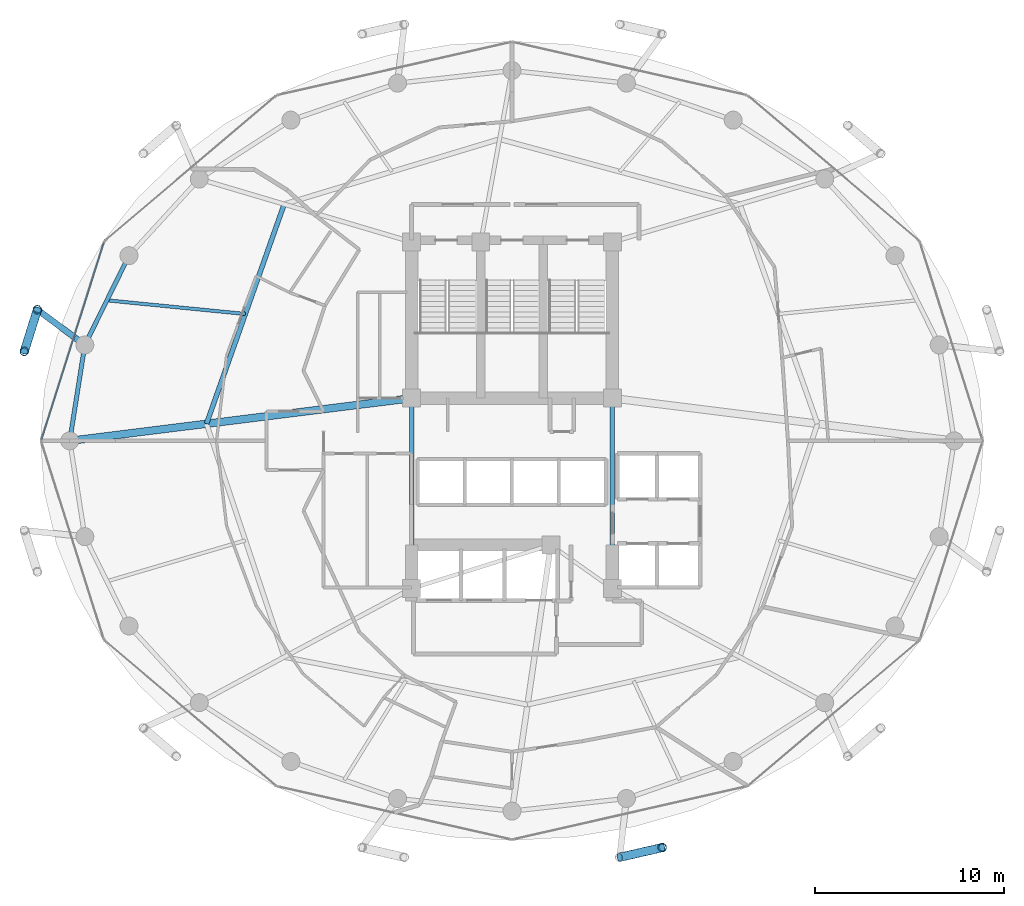
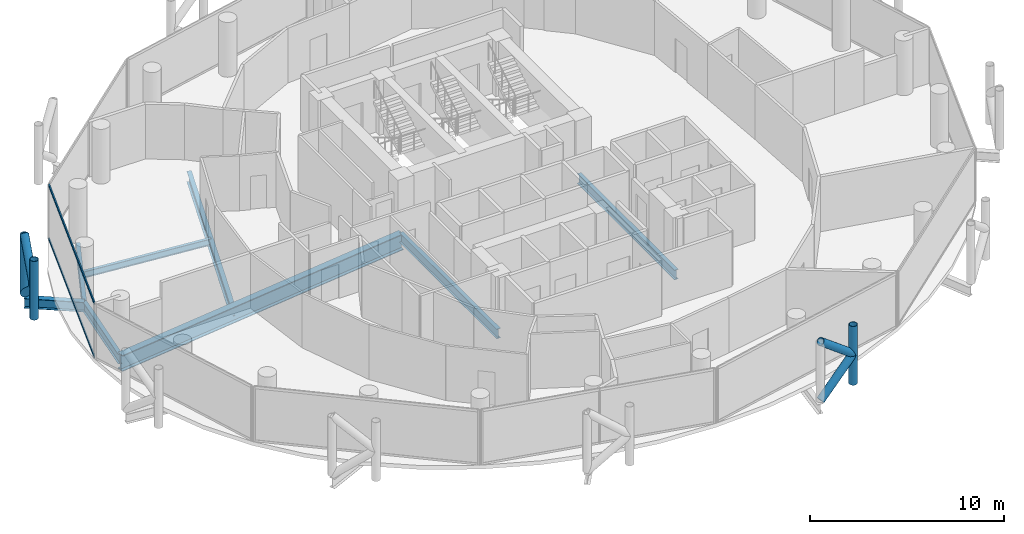
# One storey, part 7 of 26: 9 members, 8 beams, 1 element without a shape of its own.
"""IFC4 building model written with IfcOpenShell, lengths in metres."""

from ifc_helpers import new_model, si_unit, direction, frame, origin, origin_2d, place, context, subcontext, project, spatial, hollow_rectangle, hollow_circle, i_section, extrude, material, layer, layer_set, material_profile, profile_set, type_object, element, aggregate, save


model = new_model("IFC4")

# Units and contexts
model_context = context("Model", 3, precision=1e-05, world=origin(), true_north=direction((0.0, 1.0)))
body_context = subcontext(model_context, "Body", "Model", "MODEL_VIEW")
ifc_project = project(units=[si_unit("LENGTHUNIT", "METRE"), si_unit("AREAUNIT", "SQUARE_METRE"), si_unit("VOLUMEUNIT", "CUBIC_METRE"), si_unit("PLANEANGLEUNIT", "RADIAN"), si_unit("MASSUNIT", "GRAM", prefix="KILO")], contexts=[model_context])

# Site, building, storey
site_placement = place(None, origin())
site = spatial("IfcSite", under=ifc_project, at=site_placement, CompositionType="ELEMENT")
building_placement = place(site_placement, origin())
building = spatial("IfcBuilding", under=site, at=building_placement, Name="Nuhasar Tower", CompositionType="ELEMENT")
storey_placement = place(building_placement, frame((0.0, 0.0, 177.449951171875)))
storey = spatial("IfcBuildingStorey", under=building, at=storey_placement, Name="L43", CompositionType="ELEMENT", Elevation=177.449951171875)

# Beams
ifc_material_1 = material(Name="Steel S355", Category="steel")
ifc_material_profile_1 = material_profile(ifc_material_1, i_section(OverallWidth=0.25390625, OverallDepth=0.68408203125, WebThickness=0.012451171875, FlangeThickness=0.018798828125, at=origin_2d()), Name="W27X94")
ifc_profile_set_1 = profile_set([ifc_material_profile_1], Name="Steel S355")
beam_type_1 = type_object("IfcBeamType", Name="BM-INRING-W27X94", PredefinedType="BEAM", material=ifc_profile_set_1)
beam_1_placement = place(storey_placement, frame((26.972900390625, 39.2939453125, -0.592041015625), z_axis=(-0.333599821096, -0.942714781556, 0.0), x_axis=(0.942714781556, -0.333599821096, 0.0)))
element("IfcBeam", 1, at=beam_1_placement, inside=storey, type_object=beam_type_1, Name="L43 Inner Header Beam 07", PredefinedType="BEAM", context=body_context, shape_type="SweptSolid", body=[
    extrude(i_section(OverallWidth=0.25390625, OverallDepth=0.68408203125, WebThickness=0.012451171875, FlangeThickness=0.018798828125, at=origin_2d()), origin(), (0.0, 0.0, 1.0), 12.298583984375),
])
ifc_material_profile_2 = material_profile(ifc_material_1, i_section(OverallWidth=0.177978515625, OverallDepth=0.406005859375, WebThickness=0.0078125, FlangeThickness=0.0126953125, at=origin_2d()), Name="W16X40")
ifc_profile_set_2 = profile_set([ifc_material_profile_2], Name="Steel S355")
beam_type_2 = type_object("IfcBeamType", Name="BM-JST-W16X40", PredefinedType="JOIST", material=ifc_profile_set_2)
beam_2_placement = place(storey_placement, frame((24.922119140625, 33.4970703125, -0.452880859375), z_axis=(-0.995171845755, 0.098147834497, 0.0), x_axis=(-0.098147834497, -0.995171845755, 0.0)))
element("IfcBeam", 2, at=beam_2_placement, inside=storey, type_object=beam_type_2, Name="L43 Secondary Floor Joist 07", PredefinedType="JOIST", context=body_context, shape_type="SweptSolid", body=[
    extrude(i_section(OverallWidth=0.177978515625, OverallDepth=0.406005859375, WebThickness=0.0078125, FlangeThickness=0.0126953125, at=origin_2d()), origin(), (0.0, 0.0, 1.0), 7.345458984375),
])
ifc_material_profile_3 = material_profile(ifc_material_1, i_section(OverallWidth=0.22900390625, OverallDepth=0.612060546875, WebThickness=0.011962890625, FlangeThickness=0.01953125, at=origin_2d()), Name="W24X84")
ifc_profile_set_3 = profile_set([ifc_material_profile_3], Name="Steel S355")
beam_type_3 = type_object("IfcBeamType", Name="BM-RAD-W24X84", PredefinedType="BEAM", material=ifc_profile_set_3)
for number, where, z_axis, x_axis, name in (
    (3, (44.300048828125, 19.0, -0.555908203125), (0.0, 1.0, 0.0), (-1.0, 0.0, 0.0), "L43 Core Ring Girder 3"),
    (4, (33.699951171875, 29.050048828125, -0.555908203125), (0.0, -1.0, 0.0), (1.0, 0.0, 0.0), "L43 Core Ring Girder 8"),
):
    element("IfcBeam", number, at=place(storey_placement, frame(where, z_axis=z_axis, x_axis=x_axis)), inside=storey, type_object=beam_type_3, Name=name, PredefinedType="BEAM", context=body_context, shape_type="SweptSolid", body=[
        extrude(i_section(OverallWidth=0.22900390625, OverallDepth=0.612060546875, WebThickness=0.011962890625, FlangeThickness=0.01953125, at=origin_2d()), origin(), (0.0, 0.0, 1.0), 10.050048828125),
    ])
ifc_material_profile_4 = material_profile(ifc_material_1, i_section(OverallWidth=0.22998046875, OverallDepth=0.616943359375, WebThickness=0.01318359375, FlangeThickness=0.022216796875, at=origin_2d()), Name="W24X94")
ifc_profile_set_4 = profile_set([ifc_material_profile_4], Name="Steel S355")
beam_type_4 = type_object("IfcBeamType", Name="BM-RING-W24X94", PredefinedType="SPANDREL", material=ifc_profile_set_4)
beam_3_placement = place(storey_placement, frame((18.778076171875, 36.574951171875, -0.558837890625), z_axis=(-0.443347771709, -0.896349682501, 0.0), x_axis=(0.896349682501, -0.443347771709, 0.0)))
element("IfcBeam", 5, at=beam_3_placement, inside=storey, type_object=beam_type_4, Name="L43 Perimeter Ring Spandrel 11", PredefinedType="SPANDREL", context=body_context, shape_type="SweptSolid", body=[
    extrude(i_section(OverallWidth=0.22998046875, OverallDepth=0.616943359375, WebThickness=0.01318359375, FlangeThickness=0.022216796875, at=origin_2d()), origin(), (0.0, 0.0, 1.0), 5.260009765625),
])
beam_4_placement = place(storey_placement, frame((16.446044921875, 31.860107421875, -0.558837890625), z_axis=(-0.155426543608, -0.987847452566, 0.0), x_axis=(0.987847452566, -0.155426543608, 0.0)))
element("IfcBeam", 6, at=beam_4_placement, inside=storey, type_object=beam_type_4, Name="L43 Perimeter Ring Spandrel 12", PredefinedType="SPANDREL", context=body_context, shape_type="SweptSolid", body=[
    extrude(i_section(OverallWidth=0.22998046875, OverallDepth=0.616943359375, WebThickness=0.01318359375, FlangeThickness=0.022216796875, at=origin_2d()), origin(), (0.0, 0.0, 1.0), 5.122314453125),
])
ifc_material_profile_5 = material_profile(ifc_material_1, i_section(OverallWidth=0.323974609375, OverallDepth=0.611083984375, WebThickness=0.0126953125, FlangeThickness=0.01904296875, at=origin_2d()), Name="W24X104")
ifc_profile_set_5 = profile_set([ifc_material_profile_5], Name="Steel S355")
beam_type_5 = type_object("IfcBeamType", Name="BM-TIE-W24X104", PredefinedType="BEAM", material=ifc_profile_set_5)
beam_5_placement = place(storey_placement, frame((16.446044921875, 31.860107421875, -0.555908203125), z_axis=(-0.802872198291, 0.596151183183, 0.0), x_axis=(-0.596151183183, -0.802872198291, 0.0)))
element("IfcBeam", 7, at=beam_5_placement, inside=storey, type_object=beam_type_5, Name="L43 Exoskeleton Node Tie Beam 06", PredefinedType="BEAM", context=body_context, shape_type="SweptSolid", body=[
    extrude(i_section(OverallWidth=0.323974609375, OverallDepth=0.611083984375, WebThickness=0.0126953125, FlangeThickness=0.01904296875, at=origin_2d()), origin(), (0.0, 0.0, 1.0), 3.121337890625),
])
ifc_material_2 = material(Name="Steel S460", Category="steel")
ifc_material_profile_6 = material_profile(ifc_material_2, i_section(OverallWidth=0.40087890625, OverallDepth=1.010009765625, WebThickness=0.023681640625, FlangeThickness=0.0419921875, at=origin_2d()), Name="W40X297")
ifc_profile_set_6 = profile_set([ifc_material_profile_6], Name="Steel S460")
beam_type_6 = type_object("IfcBeamType", Name="BM-XFER-W40X297", PredefinedType="USERDEFINED", material=ifc_profile_set_6)
beam_6_placement = place(storey_placement, frame((33.699951171875, 29.050048828125, -0.7548828125), z_axis=(-0.992320149485, -0.123696082908, 0.0), x_axis=(0.123696082908, -0.992320149485, 0.0)))
element("IfcBeam", 8, at=beam_6_placement, inside=storey, type_object=beam_type_6, Name="L43 Radial Floor Girder 08", ObjectType="GIRDER", PredefinedType="USERDEFINED", context=body_context, shape_type="SweptSolid", body=[
    extrude(i_section(OverallWidth=0.40087890625, OverallDepth=1.010009765625, WebThickness=0.023681640625, FlangeThickness=0.0419921875, at=origin_2d()), origin(), (0.0, 0.0, 1.0), 18.189697265625),
])

# Curtain wall, members
ifc_material_3 = material(Name="Aluminium 6063-T6", Category="aluminium")
ifc_layer = layer(ifc_material_3, 0.199951171875)
ifc_layer_set = layer_set([ifc_layer], Name="Aluminium 6063-T6")
curtain_wall_type = type_object("IfcCurtainWallType", Name="CW-Z2-HTL", PredefinedType="NOTDEFINED", material=ifc_layer_set)
curtain_wall_placement = place(storey_placement, origin())
curtain_wall = element("IfcCurtainWall", 9, at=curtain_wall_placement, inside=storey, type_object=curtain_wall_type, Name="L43 Unitised Curtain Wall 06", PredefinedType="NOTDEFINED")
ifc_material_profile_7 = material_profile(ifc_material_3, hollow_rectangle(XDim=0.070068359375, YDim=0.159912109375, WallThickness=0.00439453125, at=origin_2d()), Name="CWT-3")
ifc_profile_set_7 = profile_set([ifc_material_profile_7], Name="Aluminium 6063-T6")
member_type_1 = type_object("IfcMemberType", Name="CW-TRN-S3", PredefinedType="USERDEFINED", material=ifc_profile_set_7)
member_1_placement = place(storey_placement, frame((17.449951171875, 37.26318359375, 0.03515625), z_axis=(-0.301608163352, -0.953431967053, 0.0), x_axis=(0.953431967053, -0.301608163352, 0.0)))
member_1 = element("IfcMember", 10, at=member_1_placement, type_object=member_type_1, Name="CW-Z2 transom 1.1", ObjectType="TRANSOM", PredefinedType="USERDEFINED", context=body_context, shape_type="SweptSolid", body=[
    extrude(hollow_rectangle(XDim=0.070068359375, YDim=0.159912109375, WallThickness=0.00439453125, at=origin_2d()), origin(), (0.0, 0.0, 1.0), 10.904296875),
])
member_2_placement = place(storey_placement, frame((17.449951171875, 37.26318359375, 3.4150390625), z_axis=(-0.301608163352, -0.953431967053, 0.0), x_axis=(0.953431967053, -0.301608163352, 0.0)))
member_2 = element("IfcMember", 11, at=member_2_placement, type_object=member_type_1, Name="CW-Z2 transom 1.2", ObjectType="TRANSOM", PredefinedType="USERDEFINED", context=body_context, shape_type="SweptSolid", body=[
    extrude(hollow_rectangle(XDim=0.070068359375, YDim=0.159912109375, WallThickness=0.00439453125, at=origin_2d()), origin(), (0.0, 0.0, 1.0), 10.904296875),
])
aggregate(curtain_wall, [member_1, member_2])

# Members
ifc_material_profile_8 = material_profile(ifc_material_2, hollow_circle(Radius=0.228515625, WallThickness=0.022216796875, at=origin_2d()), Name="HSS457X22.2")
ifc_profile_set_8 = profile_set([ifc_material_profile_8], Name="Steel S460")
member_type_2 = type_object("IfcMemberType", Name="EXO-BRONZE-457", PredefinedType="BRACE", material=ifc_profile_set_8)
for number, where, z_axis, x_axis, name in (
    (12, (13.93994140625, 33.720947265625, 0.0), (0.0, 0.0, 1.0), (1.0, 0.0, 0.0), "L43 Exoskeleton Chord Column EC-06A"),
    (13, (13.251953125, 31.52587890625, 0.0), (0.0, 0.0, 1.0), (1.0, 0.0, 0.0), "L43 Exoskeleton Chord Column EC-06B"),
    (14, (46.927978515625, 5.323974609375, 0.0), (0.0, 0.0, 1.0), (1.0, 0.0, 0.0), "L43 Exoskeleton Chord Column EC-10B"),
):
    element("IfcMember", number, at=place(storey_placement, frame(where, z_axis=z_axis, x_axis=x_axis)), inside=storey, type_object=member_type_2, Name=name, PredefinedType="BRACE", context=body_context, shape_type="SweptSolid", body=[
        extrude(hollow_circle(Radius=0.228515625, WallThickness=0.022216796875, at=origin_2d()), origin(), (0.0, 0.0, 1.0), 3.699951171875),
    ])
member_3_placement = place(storey_placement, frame((13.93994140625, 33.720947265625, 0.0), z_axis=(-0.233055548538, -0.743577869731, 0.626719285599), x_axis=(0.954228474306, -0.29907861646, 0.0)))
element("IfcMember", 15, at=member_3_placement, inside=storey, type_object=member_type_2, Name="L43 Bronze Diagrid Brace W1-06", PredefinedType="BRACE", context=body_context, shape_type="SweptSolid", body=[
    extrude(hollow_circle(Radius=0.228515625, WallThickness=0.022216796875, at=origin_2d()), origin(), (0.0, 0.0, 1.0), 2.9521484375),
])
for number, where, z_axis, x_axis, name in (
    (16, (13.251953125, 31.52587890625, 1.85009765625), (0.233067628236, 0.74361641074, 0.626669062861), (-0.954228474306, 0.29907861646, 0.0), "L43 Bronze Diagrid Brace W2-06"),
    (17, (44.68603515625, 4.81005859375, 0.0), (0.759510488094, 0.174101010284, 0.626763637022), (-0.223432882746, 0.974719316987, 0.0), "L43 Bronze Diagrid Brace W1-10"),
):
    element("IfcMember", number, at=place(storey_placement, frame(where, z_axis=z_axis, x_axis=x_axis)), inside=storey, type_object=member_type_2, Name=name, PredefinedType="BRACE", context=body_context, shape_type="SweptSolid", body=[
        extrude(hollow_circle(Radius=0.228515625, WallThickness=0.022216796875, at=origin_2d()), origin(), (0.0, 0.0, 1.0), 2.951904296875),
    ])
member_4_placement = place(storey_placement, frame((46.927978515625, 5.323974609375, 1.85009765625), z_axis=(-0.759549860492, -0.174110035537, 0.626713415327), x_axis=(0.223432882746, -0.974719316987, 0.0)))
element("IfcMember", 18, at=member_4_placement, inside=storey, type_object=member_type_2, Name="L43 Bronze Diagrid Brace W2-10", PredefinedType="BRACE", context=body_context, shape_type="SweptSolid", body=[
    extrude(hollow_circle(Radius=0.228515625, WallThickness=0.022216796875, at=origin_2d()), origin(), (0.0, 0.0, 1.0), 2.95166015625),
])

save(model, "model.ifc")
